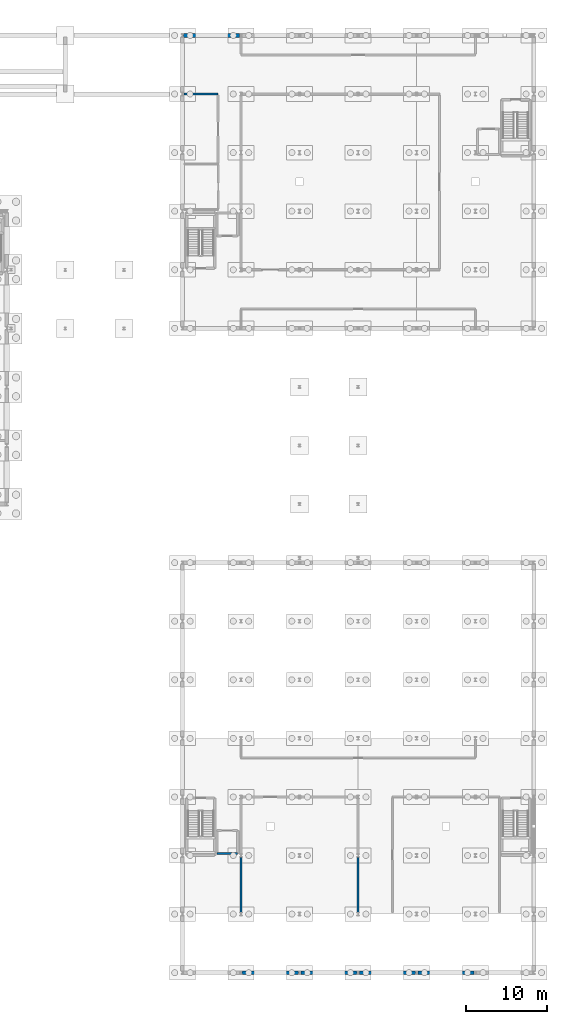
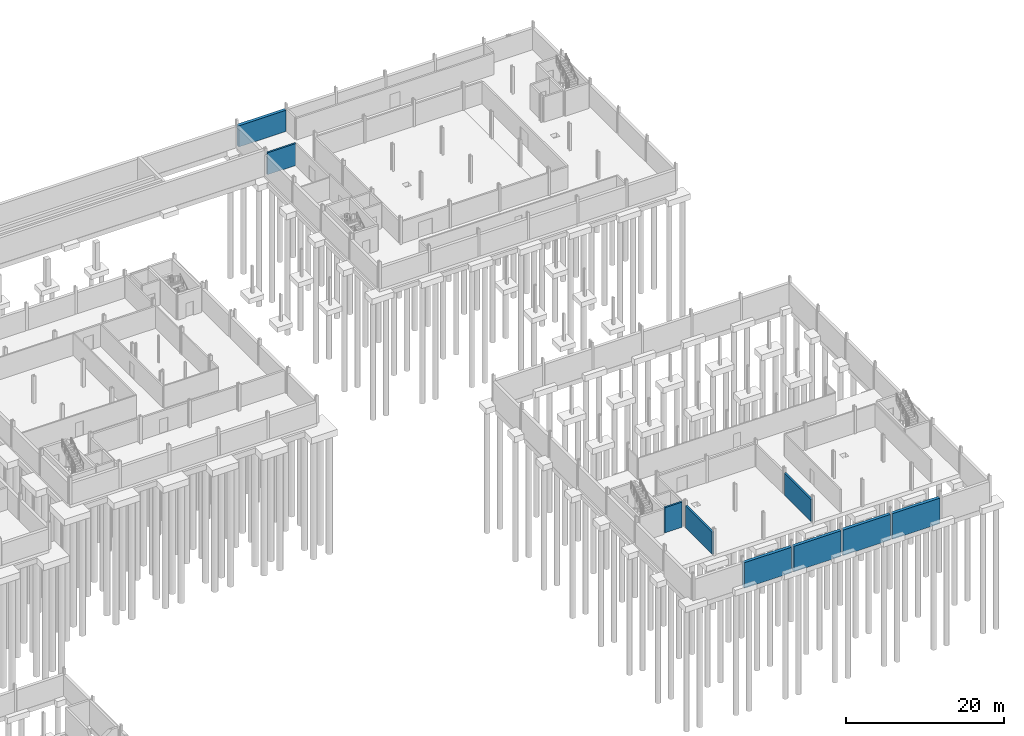
# One storey, part 40 of 50: 9 walls.
"""IFC4 building model written with IfcOpenShell, lengths in metres."""

import ifcopenshell
import ifcopenshell.guid

model = None  # the IFC model being written
_history = None  # IfcOwnerHistory: only IFC2X3 demands one
_inside = {}  # id of a spatial element -> (the spatial element, [elements in it])
_under = {}  # id of a project, library or spatial element -> (it, [spatial elements below it])
_declared = {}  # id of a project -> (the project, [libraries it declares])
_typed = {}  # id of a type object -> (the type object, [elements of that type])
_made_of = {}  # id of a material, layer set ... -> (it, [elements and type objects made of it])


def new_model(schema):
    """Start an empty IFC model of exactly this schema.

    Asked for "IFC4X3", IfcOpenShell would pick the latest addendum, in which some entities
    have other attributes; the version numbers below select the first issue.
    IFC2X3 requires an IfcOwnerHistory on every rooted entity: one is made here for all.
    """
    global model, _history
    if schema == "IFC4X3":
        model = ifcopenshell.file(schema_version=(4, 3, 0, 0))
    else:
        model = ifcopenshell.file(schema=schema)
    _inside.clear()
    _under.clear()
    _declared.clear()
    _typed.clear()
    _made_of.clear()
    _history = None
    if model.schema == "IFC2X3":
        org = make("IfcOrganization", Name="unknown")
        user = make(
            "IfcPersonAndOrganization",
            ThePerson=make("IfcPerson", FamilyName="unknown"),
            TheOrganization=org,
        )
        app = make(
            "IfcApplication",
            ApplicationDeveloper=org,
            Version="unknown",
            ApplicationFullName="unknown",
            ApplicationIdentifier="unknown",
        )
        _history = make(
            "IfcOwnerHistory",
            OwningUser=user,
            OwningApplication=app,
            ChangeAction="ADDED",
            CreationDate=0,
        )
    return model


def make(cls, **values):
    """One entity of the class cls with the attributes given. An attribute that is None is left unset."""
    return model.create_entity(
        cls, **{name: value for name, value in values.items() if value is not None}
    )


def rooted(cls, **values):
    """An entity with a GlobalId (a new one), such as an element, a storey or a relation."""
    return make(cls, GlobalId=ifcopenshell.guid.new(), OwnerHistory=_history, **values)


def si_unit(unit_type, name, prefix=None):
    """IfcSIUnit, for example si_unit("LENGTHUNIT", "METRE", prefix="MILLI")."""
    return make("IfcSIUnit", UnitType=unit_type, Prefix=prefix, Name=name)


def assignment(units):
    """IfcUnitAssignment: the units of a project."""
    return None if units is None else make("IfcUnitAssignment", Units=units)


def point(xyz):
    """IfcCartesianPoint."""
    return None if xyz is None else make("IfcCartesianPoint", Coordinates=xyz)


def direction(xyz):
    """IfcDirection."""
    return None if xyz is None else make("IfcDirection", DirectionRatios=xyz)


def frame(location, z_axis=None, x_axis=None):
    """IfcAxis2Placement3D, a coordinate frame: its origin and axes. An axis left out is left unset."""
    return make(
        "IfcAxis2Placement3D",
        Location=point(location),
        Axis=direction(z_axis),
        RefDirection=direction(x_axis),
    )


def frame_2d(location, x_axis=None):
    """IfcAxis2Placement2D, a coordinate frame in the plane: its origin and x axis."""
    return make(
        "IfcAxis2Placement2D", Location=point(location), RefDirection=direction(x_axis)
    )


def origin():
    """The frame at (0, 0, 0) with its axes left unset."""
    return frame((0.0, 0.0, 0.0))


def place(relative_to, where):
    """IfcLocalPlacement: puts the frame where relative to a parent placement (None: the world)."""
    return make(
        "IfcLocalPlacement", PlacementRelTo=relative_to, RelativePlacement=where
    )


def context(
    kind, dimensions, precision=None, world=None, true_north=None, identifier=None
):
    """IfcGeometricRepresentationContext, for example the 3D "Model" context."""
    return make(
        "IfcGeometricRepresentationContext",
        ContextIdentifier=identifier,
        ContextType=kind,
        CoordinateSpaceDimension=dimensions,
        Precision=precision,
        WorldCoordinateSystem=world,
        TrueNorth=true_north,
    )


def subcontext(parent, identifier, kind, view, scale=None):
    """IfcGeometricRepresentationSubContext, for example "Body" below "Model"."""
    return make(
        "IfcGeometricRepresentationSubContext",
        ContextIdentifier=identifier,
        ContextType=kind,
        ParentContext=parent,
        TargetScale=scale,
        TargetView=view,
    )


def project(units=None, contexts=None):
    """IfcProject with its units and contexts."""
    return rooted(
        "IfcProject",
        Name="project",
        RepresentationContexts=contexts,
        UnitsInContext=assignment(units),
    )


def spatial(cls, under=None, at=None, **own):
    """A site, building, storey or space (cls), placed at a placement, below another one or the project."""
    s = rooted(cls, ObjectPlacement=at, **own)
    if under is not None:
        _under.setdefault(under.id(), (under, []))[1].append(s)
    return s


def profile(cls, at=None, kind="AREA", **sizes):
    """A parametric profile (cls). Its sizes go by their IFC names, for example OverallWidth=200.0."""
    return make(cls, ProfileType=kind, Position=at, **sizes)


def rectangle(**sizes):
    """IfcRectangleProfileDef."""
    return profile("IfcRectangleProfileDef", **sizes)


def extrude(swept, where, along, depth):
    """IfcExtrudedAreaSolid: the profile swept, set in the frame where, extruded along a direction by depth."""
    return make(
        "IfcExtrudedAreaSolid",
        SweptArea=swept,
        Position=where,
        ExtrudedDirection=direction(along),
        Depth=depth,
    )


def shape(context_of_items, identifier, shape_type, items):
    """IfcShapeRepresentation: the items that make up one representation, for example the "Body"."""
    return make(
        "IfcShapeRepresentation",
        ContextOfItems=context_of_items,
        RepresentationIdentifier=identifier,
        RepresentationType=shape_type,
        Items=items,
    )


def material(Name=None, Category=None):
    """IfcMaterial."""
    return make("IfcMaterial", Name=Name, Category=Category)


def layer(
    of_material, thickness, ventilated=None, Name=None, Category=None, Priority=None
):
    """IfcMaterialLayer: one layer of a wall or slab, of a material (None: an air gap)."""
    return make(
        "IfcMaterialLayer",
        Material=of_material,
        LayerThickness=thickness,
        IsVentilated=ventilated,
        Name=Name,
        Category=Category,
        Priority=Priority,
    )


def layer_set(layers, Name=None):
    """IfcMaterialLayerSet."""
    return make("IfcMaterialLayerSet", MaterialLayers=layers, LayerSetName=Name)


def made_of(thing, what):
    """Note that an element or type object is made of a material, layer set ...; save() writes the relation."""
    if what is not None:
        _made_of.setdefault(what.id(), (what, []))[1].append(thing)
    return thing


def type_object(cls, material=None, **own):
    """A type object (cls), such as IfcWallType, which elements share."""
    return made_of(rooted(cls, **own), material)


def element(
    cls,
    number,
    at=None,
    inside=None,
    cuts=None,
    type_object=None,
    material=None,
    context=None,
    identifier="Body",
    shape_type=None,
    held_by="IfcProductDefinitionShape",
    body=None,
    shapes=None,
    **own,
):
    """One element of the class cls, such as IfcWall. Its Tag is "e" and its number.

    at: its placement. inside: the storey or other place that contains it. cuts: it is an
    opening in that element (IfcRelVoidsElement). A single representation is given by context,
    identifier, shape_type and body (its items); several are given by shapes. held_by: the class
    of the entity that holds the representations. save() writes the other relations.
    """
    e = rooted(cls, Tag="e%d" % number, ObjectPlacement=at, **own)
    if body is not None:
        shapes = [shape(context, identifier, shape_type, body)]
    if shapes is not None:
        e.Representation = make(held_by, Representations=shapes)
    if inside is not None:
        _inside.setdefault(inside.id(), (inside, []))[1].append(e)
    if cuts is not None:
        rooted(
            "IfcRelVoidsElement", RelatingBuildingElement=cuts, RelatedOpeningElement=e
        )
    if type_object is not None:
        _typed.setdefault(type_object.id(), (type_object, []))[1].append(e)
    return made_of(e, material)


def aggregate(whole, parts):
    """IfcRelAggregates: a whole, such as a stair, and the parts it consists of."""
    return rooted("IfcRelAggregates", RelatingObject=whole, RelatedObjects=parts)


def save(model, path):
    """Write the relations noted so far, then the file.

    IfcRelAggregates (storeys below a building ...), IfcRelContainedInSpatialStructure (elements
    in a storey), IfcRelDefinesByType, IfcRelAssociatesMaterial and IfcRelDeclares: one each for
    every whole, place, type object, material and project.
    """
    for whole, parts in _under.values():
        aggregate(whole, parts)
    for where, things in _inside.values():
        rooted(
            "IfcRelContainedInSpatialStructure",
            RelatedElements=things,
            RelatingStructure=where,
        )
    for kind, things in _typed.values():
        rooted("IfcRelDefinesByType", RelatedObjects=things, RelatingType=kind)
    for what, things in _made_of.values():
        rooted("IfcRelAssociatesMaterial", RelatedObjects=things, RelatingMaterial=what)
    for by, libraries in _declared.values():
        rooted("IfcRelDeclares", RelatingContext=by, RelatedDefinitions=libraries)
    model.write(path)


model = new_model("IFC4")

# Units and contexts
model_context = context("Model", 3, precision=1e-05, world=origin(), true_north=direction((0.0, 1.0)))
body_context = subcontext(model_context, "Body", "Model", "MODEL_VIEW")
ifc_project = project(units=[si_unit("LENGTHUNIT", "METRE"), si_unit("AREAUNIT", "SQUARE_METRE"), si_unit("VOLUMEUNIT", "CUBIC_METRE"), si_unit("PLANEANGLEUNIT", "RADIAN"), si_unit("MASSUNIT", "GRAM", prefix="KILO")], contexts=[model_context])

# Site, building, storey
site_placement = place(None, origin())
site = spatial("IfcSite", under=ifc_project, at=site_placement, CompositionType="ELEMENT")
building_placement = place(site_placement, origin())
building = spatial("IfcBuilding", under=site, at=building_placement, Name="Narikvali Park Central Library", CompositionType="ELEMENT")
storey_placement = place(building_placement, frame((0.0, 0.0, -4.199951171875)))
storey = spatial("IfcBuildingStorey", under=building, at=storey_placement, Name="B1", CompositionType="ELEMENT", Elevation=-4.199951171875)

# Walls
ifc_material_1 = material(Name="Concrete C35/45", Category="concrete")
ifc_layer_1 = layer(ifc_material_1, 0.449951171875, Name="Concrete C35/45")
ifc_layer_set_1 = layer_set([ifc_layer_1], Name="Concrete C35/45")
wall_type_1 = type_object("IfcWallType", Name="Basement Perimeter Retaining Wall 450", PredefinedType="USERDEFINED", material=ifc_layer_set_1)
wall_1_placement = place(storey_placement, frame((122.553955078125, 115.199951171875, 0.0), z_axis=(0.0, 0.0, 1.0), x_axis=(1.0, 0.0, 0.0)))
element("IfcWall", 1, at=wall_1_placement, inside=storey, type_object=wall_type_1, Name="V3 B1 Retaining Wall N", ObjectType="RETAINING WALL", PredefinedType="USERDEFINED", context=body_context, shape_type="SweptSolid", body=[
    extrude(rectangle(XDim=6.89208984375, YDim=0.449951171875, at=frame_2d((3.446044921875, 0.0))), origin(), (0.0, 0.0, 1.0), 3.260009765625),
])
wall_2_placement = place(storey_placement, frame((129.75390625, 0.0, -0.679931640625), z_axis=(0.0, 0.0, 1.0), x_axis=(1.0, 0.0, 0.0)))
element("IfcWall", 2, at=wall_2_placement, inside=storey, type_object=wall_type_1, Name="V6 B1 Retaining Wall S", ObjectType="RETAINING WALL", PredefinedType="USERDEFINED", context=body_context, shape_type="SweptSolid", body=[
    extrude(rectangle(XDim=6.89208984375, YDim=0.449951171875, at=frame_2d((3.446044921875, 0.0))), origin(), (0.0, 0.0, 1.0), 3.93994140625),
])
for number, where, z_axis, x_axis, name in (
    (3, (136.9541015625, 0.0, -0.679931640625), (0.0, 0.0, 1.0), (1.0, 0.0, 0.0), "V6 B1 Retaining Wall S"),
    (4, (144.154052734375, 0.0, -0.679931640625), (0.0, 0.0, 1.0), (1.0, 0.0, 0.0), "V6 B1 Retaining Wall S"),
):
    element("IfcWall", number, at=place(storey_placement, frame(where, z_axis=z_axis, x_axis=x_axis)), inside=storey, type_object=wall_type_1, Name=name, ObjectType="RETAINING WALL", PredefinedType="USERDEFINED", context=body_context, shape_type="SweptSolid", body=[
        extrude(rectangle(XDim=6.891845703125, YDim=0.449951171875, at=frame_2d((3.44580078125, 0.0))), origin(), (0.0, 0.0, 1.0), 3.93994140625),
    ])
wall_3_placement = place(storey_placement, frame((151.35400390625, 0.0, -0.679931640625), z_axis=(0.0, 0.0, 1.0), x_axis=(1.0, 0.0, 0.0)))
element("IfcWall", 5, at=wall_3_placement, inside=storey, type_object=wall_type_1, Name="V6 B1 Retaining Wall S", ObjectType="RETAINING WALL", PredefinedType="USERDEFINED", context=body_context, shape_type="SweptSolid", body=[
    extrude(rectangle(XDim=6.89208984375, YDim=0.449951171875, at=frame_2d((3.446044921875, 0.0))), origin(), (0.0, 0.0, 1.0), 3.93994140625),
])
ifc_material_2 = material(Name="Concrete Blockwork C30/37", Category="masonry")
ifc_layer_2 = layer(ifc_material_2, 0.25, Name="Concrete Blockwork C30/37")
ifc_layer_set_2 = layer_set([ifc_layer_2], Name="Concrete Blockwork C30/37")
wall_type_2 = type_object("IfcWallType", Name="Plant Room Acoustic Fire Wall 250", PredefinedType="SOLIDWALL", material=ifc_layer_set_2)
wall_4_placement = place(storey_placement, frame((122.625, 108.0, 0.0), z_axis=(0.0, 0.0, 1.0), x_axis=(1.0, 0.0, 0.0)))
element("IfcWall", 6, at=wall_4_placement, inside=storey, type_object=wall_type_2, Name="Acoustic Chiller and Standby Power Room Partition N", PredefinedType="SOLIDWALL", context=body_context, shape_type="SweptSolid", body=[
    extrude(rectangle(XDim=4.175048828125, YDim=0.25, at=frame_2d((2.08740234375, 0.0))), origin(), (0.0, 0.0, 1.0), 3.375),
])
for number, where, z_axis, x_axis, name in (
    (7, (129.60009765625, 7.425048828125, 0.0), (0.0, 0.0, 1.0), (0.0, 1.0, 0.0), "District Heating and Electrical Substation Plant Partition W"),
    (8, (144.0, 7.425048828125, 0.0), (0.0, 0.0, 1.0), (0.0, 1.0, 0.0), "District Heating and Electrical Substation Plant Partition E"),
):
    element("IfcWall", number, at=place(storey_placement, frame(where, z_axis=z_axis, x_axis=x_axis)), inside=storey, type_object=wall_type_2, Name=name, PredefinedType="SOLIDWALL", context=body_context, shape_type="SweptSolid", body=[
        extrude(rectangle(XDim=6.7548828125, YDim=0.25, at=frame_2d((3.37744140625, 0.0))), origin(), (0.0, 0.0, 1.0), 3.425048828125),
    ])
ifc_material_3 = material(Name="Concrete C40/50", Category="concrete")
ifc_layer_3 = layer(ifc_material_3, 0.25, Name="Concrete C40/50")
ifc_layer_set_3 = layer_set([ifc_layer_3], Name="Concrete C40/50")
wall_type_3 = type_object("IfcWallType", Name="Reinforced Concrete Lift Shaft Wall 250", PredefinedType="SHEAR", material=ifc_layer_set_3)
wall_5_placement = place(storey_placement, frame((126.64990234375, 14.64990234375, 0.0), z_axis=(0.0, 0.0, 1.0), x_axis=(1.0, 0.0, 0.0)))
element("IfcWall", 9, at=wall_5_placement, inside=storey, type_object=wall_type_3, Name="L-07 B1 Lift Shaft Wall S", PredefinedType="SHEAR", context=body_context, shape_type="SweptSolid", body=[
    extrude(rectangle(XDim=2.550048828125, YDim=0.25, at=frame_2d((1.27490234375, 0.0))), origin(), (0.0, 0.0, 1.0), 3.8798828125),
])

save(model, "model.ifc")
